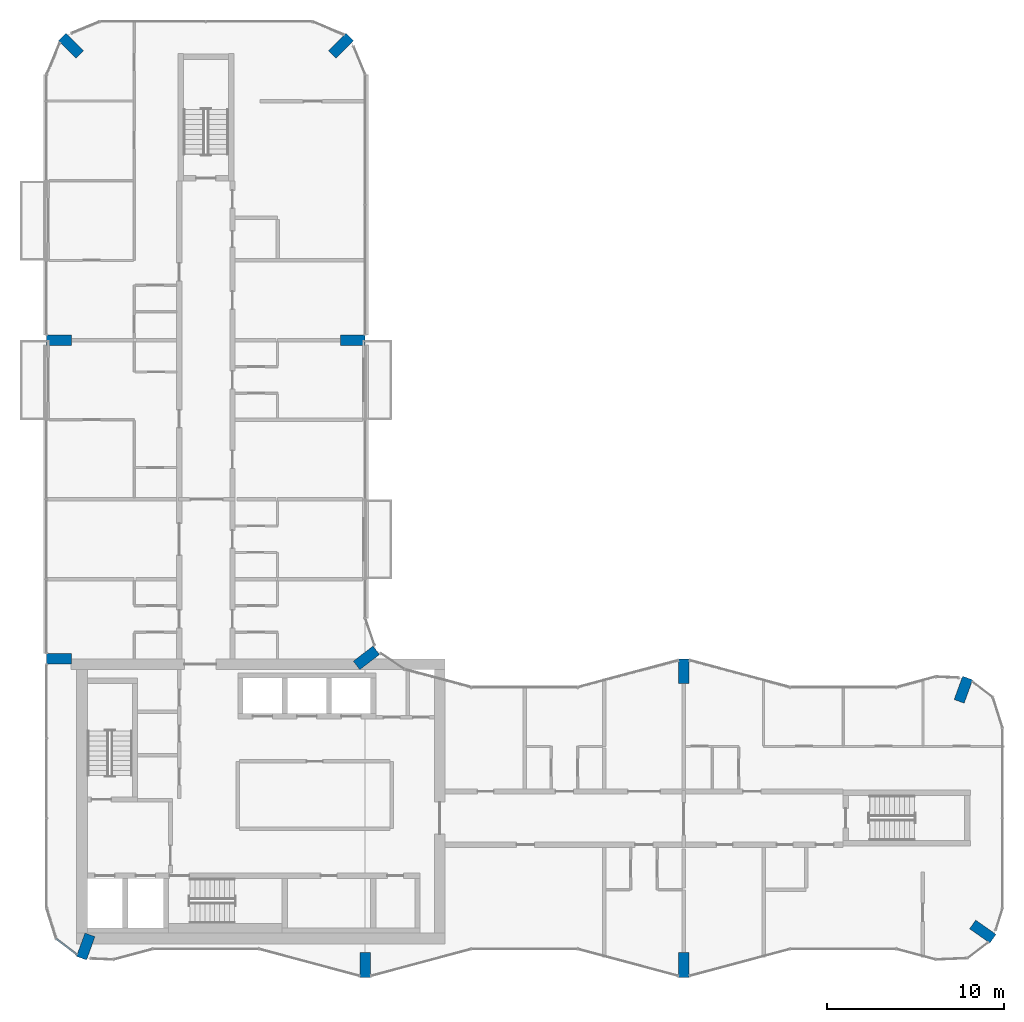
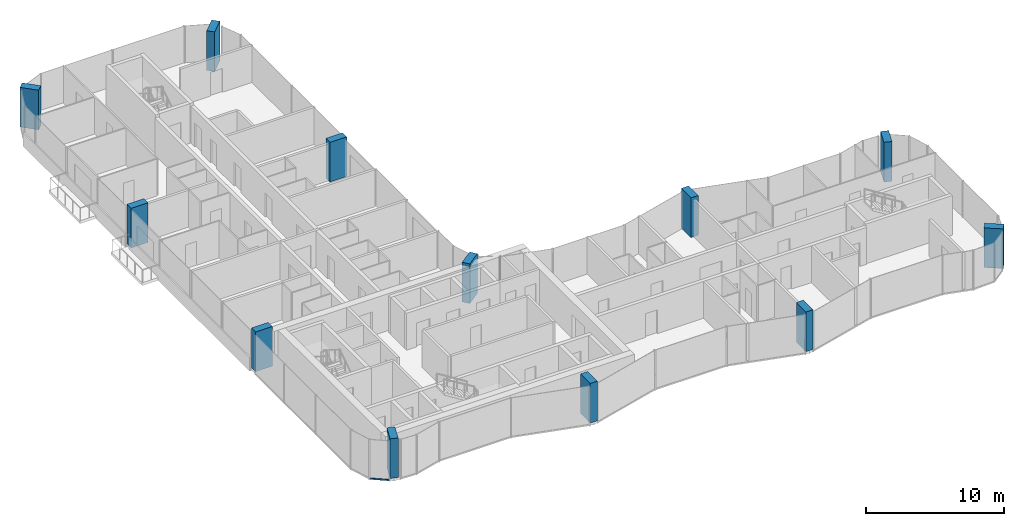
# One storey, part 1 of 15: 12 columns, 1 member, 1 element without a shape of its own.
"""IFC4 building model written with IfcOpenShell, lengths in metres."""

from ifc_helpers import new_model, si_unit, direction, frame, origin, origin_2d, place, context, subcontext, project, spatial, rectangle, extrude, material, layer, layer_set, material_profile, profile_set, type_object, element, aggregate, save


model = new_model("IFC4")

# Units and contexts
model_context = context("Model", 3, precision=1e-05, world=origin(), true_north=direction((0.0, 1.0)))
body_context = subcontext(model_context, "Body", "Model", "MODEL_VIEW")
ifc_project = project(units=[si_unit("LENGTHUNIT", "METRE"), si_unit("AREAUNIT", "SQUARE_METRE"), si_unit("VOLUMEUNIT", "CUBIC_METRE"), si_unit("PLANEANGLEUNIT", "RADIAN"), si_unit("MASSUNIT", "GRAM", prefix="KILO")], contexts=[model_context])

# Site, building, storey
site_placement = place(None, origin())
site = spatial("IfcSite", under=ifc_project, at=site_placement, CompositionType="ELEMENT")
building_placement = place(site_placement, origin())
building = spatial("IfcBuilding", under=site, at=building_placement, Name="Plateau Cross Towers", CompositionType="ELEMENT")
storey_placement = place(building_placement, frame((0.0, 0.0, 174.39990234375)))
storey = spatial("IfcBuildingStorey", under=building, at=storey_placement, Name="L45", CompositionType="ELEMENT", Elevation=174.39990234375)

# Columns
ifc_material_1 = material(Name="Concrete C60/75", Category="concrete")
ifc_material_profile_1 = material_profile(ifc_material_1, rectangle(XDim=0.60009765625, YDim=1.39990234375, at=origin_2d()), Name="RC 600x1400")
ifc_profile_set_1 = profile_set([ifc_material_profile_1], Name="Concrete C60/75")
column_type = type_object("IfcColumnType", Name="Fin pier column RC 600x1400", PredefinedType="COLUMN", material=ifc_profile_set_1)
for number, where, z_axis, x_axis, name in (
    (1, (18.0, 0.699951171875, 0.0), (0.0, 0.0, 1.0), (1.0, 0.0, 0.0), "PR1 L45"),
    (2, (36.0, 0.699951171875, 0.0), (0.0, 0.0, 1.0), (1.0, 0.0, 0.0), "PR2 L45"),
    (3, (52.884033203125, 2.590087890625, 0.0), (0.0, 0.0, 1.0), (0.573542637991, 0.819175709117, 0.0), "PR3 L45"),
    (4, (51.786865234375, 16.251953125, 0.0), (0.0, 0.0, 1.0), (-0.939664280925, 0.342097996418, 0.0), "PR4 L45"),
    (5, (36.0, 17.300048828125, 0.0), (0.0, 0.0, 1.0), (1.0, 0.0, 0.0), "PR5 L45"),
    (6, (18.064697265625, 18.049560546875, 0.0), (0.0, 0.0, 1.0), (-0.608810846443, 0.793315418515, 0.0), "PR6 L45"),
    (7, (17.300048828125, 36.0, 0.0), (0.0, 0.0, 1.0), (0.0, 1.0, 0.0), "PR7 L45"),
    (8, (16.62646484375, 52.62646484375, 0.0), (0.0, 0.0, 1.0), (-0.707106781187, 0.707106781187, 0.0), "PR8 L45"),
    (9, (1.37353515625, 52.62646484375, 0.0), (0.0, 0.0, 1.0), (0.707106781187, 0.707106781187, 0.0), "PR9 L45"),
    (10, (0.699951171875, 36.0, 0.0), (0.0, 0.0, 1.0), (0.0, 1.0, 0.0), "PR10 L45"),
    (11, (0.699951171875, 18.0, 0.0), (0.0, 0.0, 1.0), (0.0, 1.0, 0.0), "PR11 L45"),
    (12, (2.213134765625, 1.748046875, 0.0), (0.0, 0.0, 1.0), (-0.939664280925, 0.342097996418, 0.0), "PR12 L45"),
):
    element("IfcColumn", number, at=place(storey_placement, frame(where, z_axis=z_axis, x_axis=x_axis)), inside=storey, type_object=column_type, Name=name, PredefinedType="COLUMN", context=body_context, shape_type="SweptSolid", body=[
        extrude(rectangle(XDim=0.60009765625, YDim=1.39990234375, at=origin_2d()), origin(), (0.0, 0.0, 1.0), 3.5),
    ])

# Curtain wall, member
ifc_material_2 = material(Name="Dark low-iron glass", Category="glass")
ifc_layer = layer(ifc_material_2, 0.239990234375)
ifc_layer_set = layer_set([ifc_layer], Name="Dark low-iron glass")
curtain_wall_type = type_object("IfcCurtainWallType", Name="Curtain wall flush unitised CW-B", PredefinedType="NOTDEFINED", material=ifc_layer_set)
curtain_wall_placement = place(storey_placement, origin())
curtain_wall = element("IfcCurtainWall", 13, at=curtain_wall_placement, inside=storey, type_object=curtain_wall_type, Name="ENV/A/L45/A5_22", PredefinedType="NOTDEFINED")
ifc_material_3 = material(Name="Black anodised aluminium", Category="aluminium")
ifc_material_profile_2 = material_profile(ifc_material_3, rectangle(XDim=0.10009765625, YDim=0.1201171875, at=origin_2d()), Name="TRANSOM 100x120")
ifc_profile_set_2 = profile_set([ifc_material_profile_2], Name="Black anodised aluminium")
member_type = type_object("IfcMemberType", Name="Transom 100x120 flush unitised", PredefinedType="USERDEFINED", material=ifc_profile_set_2)
member_placement = place(storey_placement, frame((0.54248046875, 2.1884765625, -0.18994140625), z_axis=(0.793320508571, -0.608804213751, 0.0), x_axis=(0.608804213751, 0.793320508571, 0.0)))
member = element("IfcMember", 14, at=member_placement, type_object=member_type, Name="CW-B transom", ObjectType="TRANSOM", PredefinedType="USERDEFINED", context=body_context, shape_type="SweptSolid", body=[
    extrude(rectangle(XDim=0.10009765625, YDim=0.1201171875, at=origin_2d()), origin(), (0.0, 0.0, 1.0), 1.471435546875),
])
aggregate(curtain_wall, [member])

save(model, "model.ifc")
